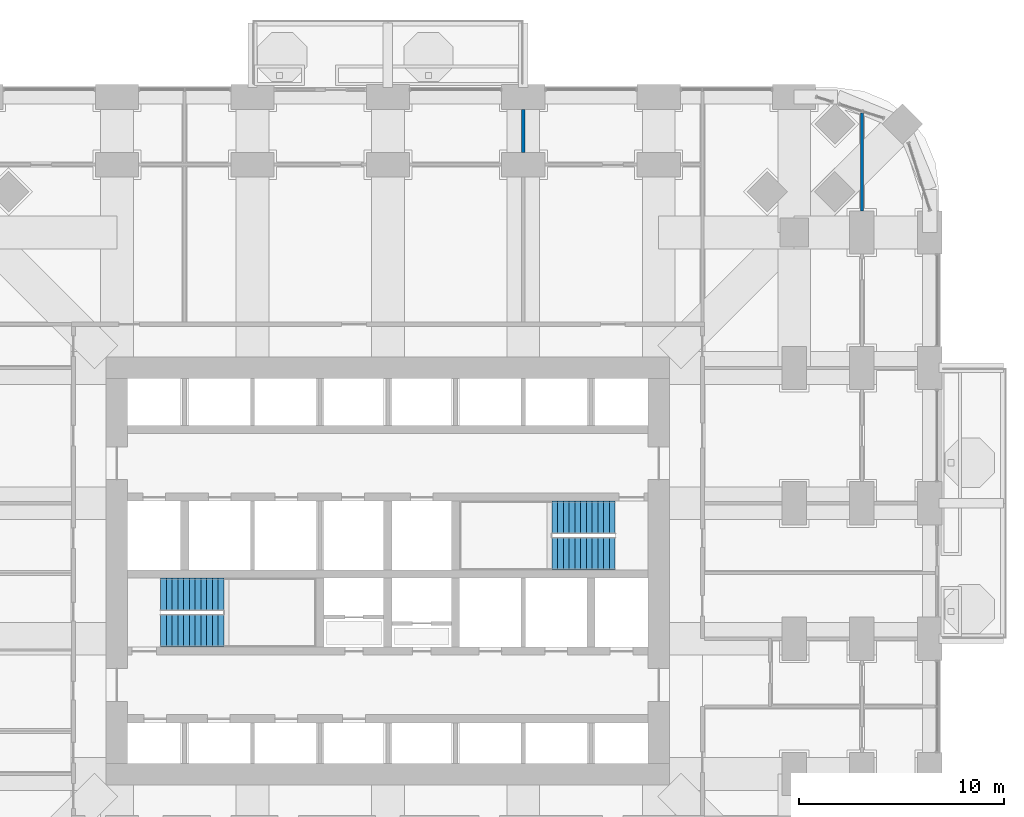
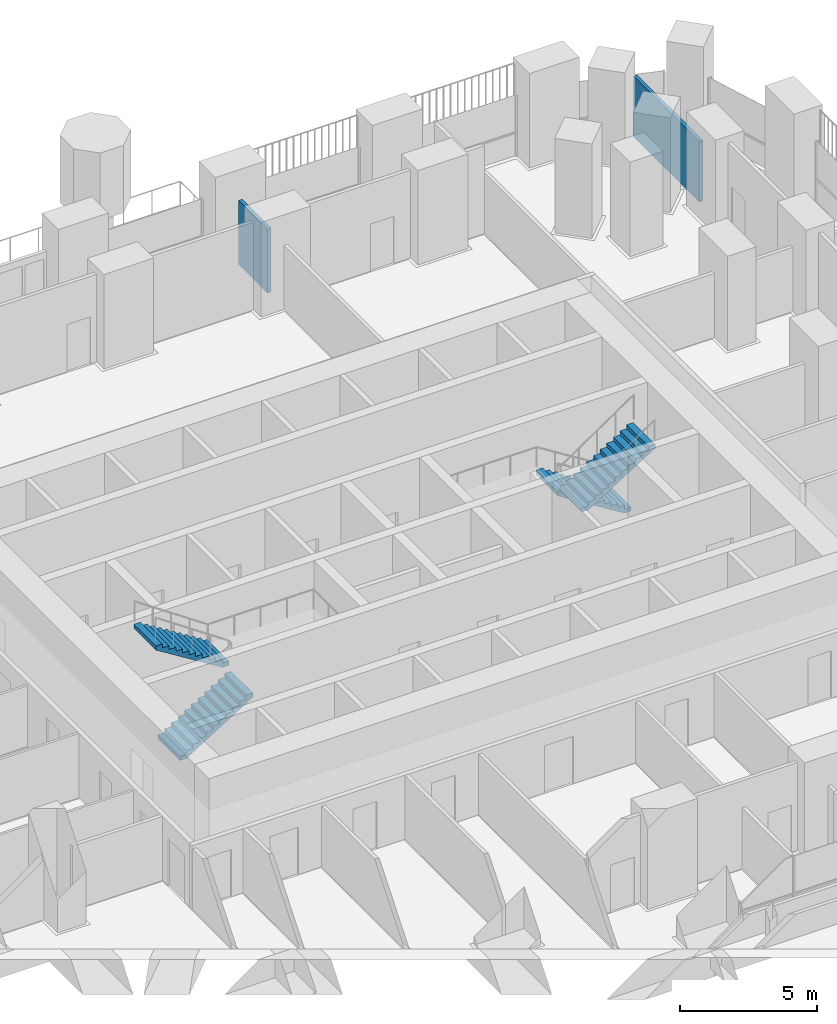
# One storey, part 21 of 26: 4 stair flights, 2 walls, 2 elements without a shape of their own.
"""IFC4 building model written with IfcOpenShell, lengths in metres."""

from ifc_helpers import new_model, si_unit, direction, frame, frame_2d, origin, place, context, subcontext, project, spatial, polyline, rectangle, outline, extrude, material, layer, layer_set, type_object, element, aggregate, save


model = new_model("IFC4")

# Units and contexts
model_context = context("Model", 3, precision=1e-05, world=origin(), true_north=direction((0.0, 1.0)))
body_context = subcontext(model_context, "Body", "Model", "MODEL_VIEW")
ifc_project = project(units=[si_unit("LENGTHUNIT", "METRE"), si_unit("AREAUNIT", "SQUARE_METRE"), si_unit("VOLUMEUNIT", "CUBIC_METRE"), si_unit("PLANEANGLEUNIT", "RADIAN"), si_unit("MASSUNIT", "GRAM", prefix="KILO")], contexts=[model_context])

# Site, building, storey
site_placement = place(None, origin())
site = spatial("IfcSite", under=ifc_project, at=site_placement, CompositionType="ELEMENT")
building_placement = place(site_placement, origin())
building = spatial("IfcBuilding", under=site, at=building_placement, Name="Cobogo Forest Laboratory Tower", CompositionType="ELEMENT")
storey_placement = place(building_placement, frame((0.0, 0.0, 59.10009765625)))
storey = spatial("IfcBuildingStorey", under=building, at=storey_placement, Name="L13", CompositionType="ELEMENT", Elevation=59.10009765625)

# Walls
ifc_material_1 = material(Name="Gypsum board on steel studs", Category="steel")
ifc_layer = layer(ifc_material_1, 0.14990234375)
ifc_layer_set = layer_set([ifc_layer], Name="PT1 laboratory partition 150")
wall_type = type_object("IfcWallType", Name="PT1 laboratory partition 150", PredefinedType="PARTITIONING", material=ifc_layer_set)
wall_1_placement = place(storey_placement, frame((49.5, 40.64990234375, 0.0), z_axis=(0.0, 0.0, 1.0), x_axis=(0.0, 1.0, 0.0)))
element("IfcWall", 1, at=wall_1_placement, inside=storey, type_object=wall_type, Name="Partition STRIP-E-5 L13", PredefinedType="PARTITIONING", context=body_context, shape_type="SweptSolid", body=[
    extrude(rectangle(XDim=4.774169921875, YDim=0.14990234375, at=frame_2d((2.38720703125, 0.0))), origin(), (0.0, 0.0, 1.0), 2.699951171875),
])
wall_2_placement = place(storey_placement, frame((33.0, 45.60009765625, 0.0), z_axis=(0.0, 0.0, 1.0), x_axis=(0.0, -1.0, 0.0)))
element("IfcWall", 2, at=wall_2_placement, inside=storey, type_object=wall_type, Name="Partition CUT-N33a-1 L13", PredefinedType="PARTITIONING", context=body_context, shape_type="SweptSolid", body=[
    extrude(rectangle(XDim=2.10009765625, YDim=0.14990234375, at=frame_2d((1.050048828125, 0.0))), origin(), (0.0, 0.0, 1.0), 2.849853515625),
])

# Stair, stair flights
ifc_material_2 = material(Name="Precast concrete HA-40 (C40/50)", Category="concrete")
stair_type = type_object("IfcStairType", Name="ST24 exit stair 24 risers", PredefinedType="HALF_TURN_STAIR", material=ifc_material_2)
stair_1_placement = place(storey_placement, origin())
stair_1 = element("IfcStair", 3, at=stair_1_placement, inside=storey, type_object=stair_type, Name="Stair 1 L13 to L14", PredefinedType="HALF_TURN_STAIR")
stair_flight_type = type_object("IfcStairFlightType", Name="ST stair flight 280 going", PredefinedType="STRAIGHT", material=ifc_material_2)
stair_flight_1_placement = place(storey_placement, frame((15.324951171875, 20.199951171875, 0.0), z_axis=(0.0, 0.0, 1.0), x_axis=(1.0, 0.0, 0.0)))
stair_flight_1 = element("IfcStairFlight", 4, at=stair_flight_1_placement, type_object=stair_flight_type, Name="ST1 flight 1", NumberOfRisers=12, NumberOfTreads=11, PredefinedType="STRAIGHT", RiserHeight=0.175, TreadLength=0.28, context=body_context, shape_type="SweptSolid", body=[
    extrude(outline(polyline([(0.0, 0.0), (0.0, 0.175048828125), (0.280029296875, 0.175048828125), (0.280029296875, 0.35009765625), (0.56005859375, 0.35009765625), (0.56005859375, 0.52490234375), (0.840087890625, 0.52490234375), (0.840087890625, 0.699951171875), (1.1201171875, 0.699951171875), (1.1201171875, 0.875), (1.39990234375, 0.875), (1.39990234375, 1.050048828125), (1.679931640625, 1.050048828125), (1.679931640625, 1.22509765625), (1.9599609375, 1.22509765625), (1.9599609375, 1.39990234375), (2.239990234375, 1.39990234375), (2.239990234375, 1.574951171875), (2.52001953125, 1.574951171875), (2.52001953125, 1.75), (2.800048828125, 1.75), (2.800048828125, 1.925048828125), (3.080078125, 1.925048828125), (3.080078125, 2.10009765625), (3.080078125, 1.748291015625), (0.28271484375, 0.0), (0.0, 0.0)])), frame((0.0, 0.800048828125, 0.0), z_axis=(0.0, -1.0, 0.0), x_axis=(1.0, 0.0, 0.0)), (0.0, 0.0, 1.0), 1.60009765625),
])
stair_flight_2_placement = place(storey_placement, frame((18.405029296875, 21.949951171875, 2.099853515625), z_axis=(0.0, 0.0, 1.0), x_axis=(-1.0, 0.0, 0.0)))
stair_flight_2 = element("IfcStairFlight", 5, at=stair_flight_2_placement, type_object=stair_flight_type, Name="ST1 flight 2", NumberOfRisers=12, NumberOfTreads=11, PredefinedType="STRAIGHT", RiserHeight=0.175, TreadLength=0.28, context=body_context, shape_type="SweptSolid", body=[
    extrude(outline(polyline([(0.0, 0.0), (0.0, 0.175048828125), (0.280029296875, 0.175048828125), (0.280029296875, 0.35009765625), (0.56005859375, 0.35009765625), (0.56005859375, 0.52490234375), (0.840087890625, 0.52490234375), (0.840087890625, 0.699951171875), (1.1201171875, 0.699951171875), (1.1201171875, 0.875), (1.39990234375, 0.875), (1.39990234375, 1.050048828125), (1.679931640625, 1.050048828125), (1.679931640625, 1.22509765625), (1.9599609375, 1.22509765625), (1.9599609375, 1.39990234375), (2.239990234375, 1.39990234375), (2.239990234375, 1.574951171875), (2.52001953125, 1.574951171875), (2.52001953125, 1.75), (2.800048828125, 1.75), (2.800048828125, 1.925048828125), (3.080078125, 1.925048828125), (3.080078125, 2.10009765625), (3.080078125, 1.748291015625), (0.28271484375, 0.0), (0.0, 0.0)])), frame((0.0, 0.800048828125, 0.0), z_axis=(0.0, -1.0, 0.0), x_axis=(1.0, 0.0, 0.0)), (0.0, 0.0, 1.0), 1.60009765625),
])
aggregate(stair_1, [stair_flight_1, stair_flight_2])

stair_2_placement = place(storey_placement, origin())
stair_2 = element("IfcStair", 6, at=stair_2_placement, inside=storey, type_object=stair_type, Name="Stair 2 L13 to L14", PredefinedType="HALF_TURN_STAIR")
stair_flight_3_placement = place(storey_placement, frame((37.47509765625, 25.699951171875, 0.0), z_axis=(0.0, 0.0, 1.0), x_axis=(-1.0, 0.0, 0.0)))
stair_flight_3 = element("IfcStairFlight", 7, at=stair_flight_3_placement, type_object=stair_flight_type, Name="ST2 flight 1", NumberOfRisers=12, NumberOfTreads=11, PredefinedType="STRAIGHT", RiserHeight=0.175, TreadLength=0.28, context=body_context, shape_type="SweptSolid", body=[
    extrude(outline(polyline([(0.0, 0.0), (0.0, 0.175048828125), (0.280029296875, 0.175048828125), (0.280029296875, 0.35009765625), (0.56005859375, 0.35009765625), (0.56005859375, 0.52490234375), (0.840087890625, 0.52490234375), (0.840087890625, 0.699951171875), (1.1201171875, 0.699951171875), (1.1201171875, 0.875), (1.39990234375, 0.875), (1.39990234375, 1.050048828125), (1.679931640625, 1.050048828125), (1.679931640625, 1.22509765625), (1.9599609375, 1.22509765625), (1.9599609375, 1.39990234375), (2.239990234375, 1.39990234375), (2.239990234375, 1.574951171875), (2.52001953125, 1.574951171875), (2.52001953125, 1.75), (2.800048828125, 1.75), (2.800048828125, 1.925048828125), (3.080078125, 1.925048828125), (3.080078125, 2.10009765625), (3.080078125, 1.748291015625), (0.28271484375, 0.0), (0.0, 0.0)])), frame((0.0, 0.800048828125, 0.0), z_axis=(0.0, -1.0, 0.0), x_axis=(1.0, 0.0, 0.0)), (0.0, 0.0, 1.0), 1.60009765625),
])
stair_flight_4_placement = place(storey_placement, frame((34.39501953125, 23.949951171875, 2.099853515625), z_axis=(0.0, 0.0, 1.0), x_axis=(1.0, 0.0, 0.0)))
stair_flight_4 = element("IfcStairFlight", 8, at=stair_flight_4_placement, type_object=stair_flight_type, Name="ST2 flight 2", NumberOfRisers=12, NumberOfTreads=11, PredefinedType="STRAIGHT", RiserHeight=0.175, TreadLength=0.28, context=body_context, shape_type="SweptSolid", body=[
    extrude(outline(polyline([(0.0, 0.0), (0.0, 0.175048828125), (0.280029296875, 0.175048828125), (0.280029296875, 0.35009765625), (0.56005859375, 0.35009765625), (0.56005859375, 0.52490234375), (0.840087890625, 0.52490234375), (0.840087890625, 0.699951171875), (1.1201171875, 0.699951171875), (1.1201171875, 0.875), (1.39990234375, 0.875), (1.39990234375, 1.050048828125), (1.679931640625, 1.050048828125), (1.679931640625, 1.22509765625), (1.9599609375, 1.22509765625), (1.9599609375, 1.39990234375), (2.239990234375, 1.39990234375), (2.239990234375, 1.574951171875), (2.52001953125, 1.574951171875), (2.52001953125, 1.75), (2.800048828125, 1.75), (2.800048828125, 1.925048828125), (3.080078125, 1.925048828125), (3.080078125, 2.10009765625), (3.080078125, 1.748291015625), (0.28271484375, 0.0), (0.0, 0.0)])), frame((0.0, 0.800048828125, 0.0), z_axis=(0.0, -1.0, 0.0), x_axis=(1.0, 0.0, 0.0)), (0.0, 0.0, 1.0), 1.60009765625),
])
aggregate(stair_2, [stair_flight_3, stair_flight_4])

save(model, "model.ifc")
